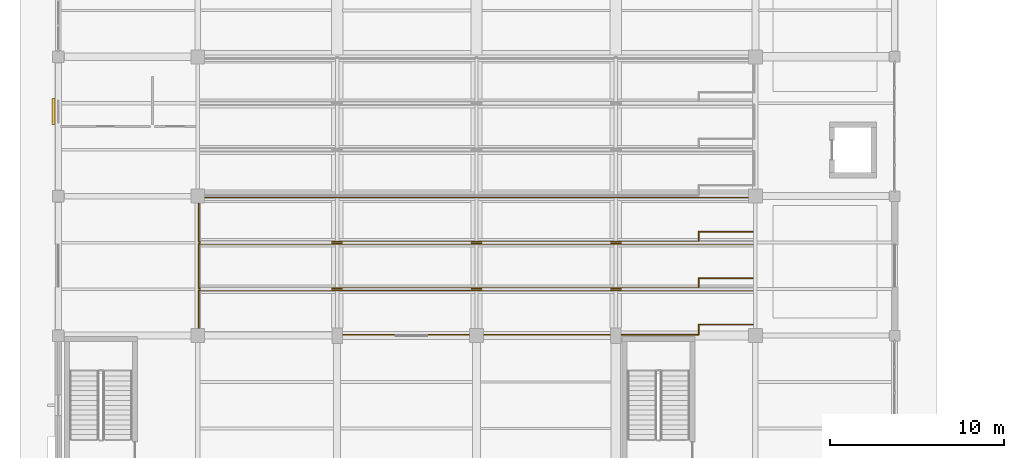
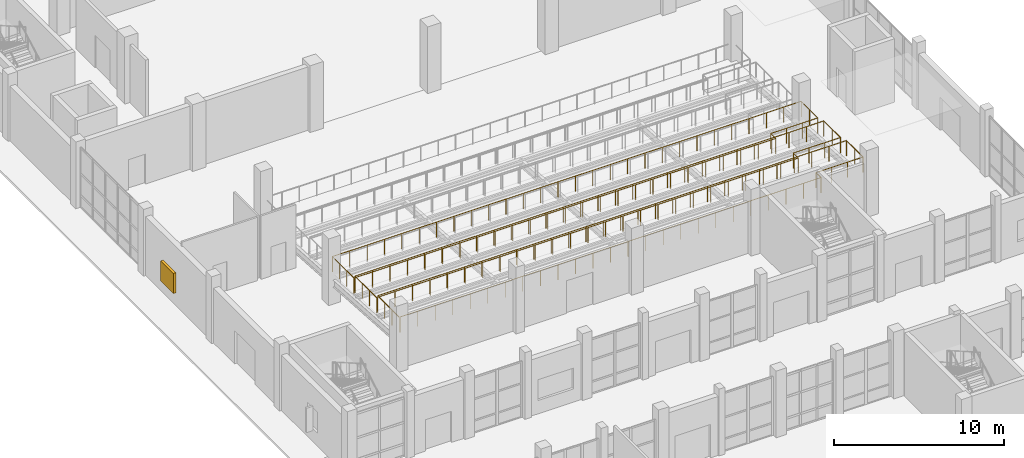
# One storey, part 139 of 156: 3 railings, 1 shading device.
"""IFC4 building model written with IfcOpenShell, lengths in metres."""

from ifc_helpers import new_model, si_unit, direction, frame, origin, origin_2d, place, context, subcontext, project, spatial, rectangle, circle, extrude, material, type_object, element, save


model = new_model("IFC4")

# Units and contexts
model_context = context("Model", 3, precision=1e-05, world=origin(), true_north=direction((0.0, 1.0)))
body_context = subcontext(model_context, "Body", "Model", "MODEL_VIEW")
ifc_project = project(units=[si_unit("LENGTHUNIT", "METRE"), si_unit("AREAUNIT", "SQUARE_METRE"), si_unit("VOLUMEUNIT", "CUBIC_METRE"), si_unit("PLANEANGLEUNIT", "RADIAN"), si_unit("MASSUNIT", "GRAM", prefix="KILO")], contexts=[model_context])

# Site, building, storey
site_placement = place(None, origin())
site = spatial("IfcSite", under=ifc_project, at=site_placement, CompositionType="ELEMENT")
building_placement = place(site_placement, origin())
building = spatial("IfcBuilding", under=site, at=building_placement, Name="Luwemba Playhouse", CompositionType="ELEMENT")
storey_placement = place(building_placement, origin())
storey = spatial("IfcBuildingStorey", under=building, at=storey_placement, Name="L00", CompositionType="ELEMENT", Elevation=0.0)

# Railings
ifc_material_1 = material(Name="Painted wrought-iron gallery balustrade", Category="steel")
railing_type = type_object("IfcRailingType", Name="RLG-BAL-INT", PredefinedType="BALUSTRADE", material=ifc_material_1)
railing_1_placement = place(storey_placement, frame((12.050048828125, 44.050048828125, 2.5)))
element("IfcRailing", 1, at=railing_1_placement, inside=storey, type_object=railing_type, Name="Stand Stalls Bay 1 perimeter balustrade", PredefinedType="BALUSTRADE", context=body_context, shape_type="SweptSolid", body=[
    extrude(circle(Radius=0.02392578125, at=origin_2d()), frame((0.0, 0.0, 1.09619140625), z_axis=(0.0, 1.0, 0.0), x_axis=(-1.0, 0.0, 0.0)), (0.0, 0.0, 1.0), 2.546630859375),
    extrude(circle(Radius=0.02392578125, at=origin_2d()), frame((0.0, 2.546630859375, 1.09619140625), z_axis=(1.0, 0.0, 0.0), x_axis=(0.0, 1.0, 0.0)), (0.0, 0.0, 1.0), 31.89990234375),
    extrude(circle(Radius=0.02392578125, at=origin_2d()), frame((31.89990234375, 2.546630859375, 1.09619140625), z_axis=(0.0, -1.0, 0.0), x_axis=(1.0, 0.0, 0.0)), (0.0, 0.0, 1.0), 1.96435546875),
    extrude(circle(Radius=0.02392578125, at=origin_2d()), frame((31.89990234375, 0.582275390625, 1.09619140625), z_axis=(-1.0, 0.0, 0.0), x_axis=(0.0, -1.0, 0.0)), (0.0, 0.0, 1.0), 3.199951171875),
    extrude(circle(Radius=0.02392578125, at=origin_2d()), frame((28.699951171875, 0.582275390625, 1.09619140625), z_axis=(0.0, -1.0, 0.0), x_axis=(1.0, 0.0, 0.0)), (0.0, 0.0, 1.0), 0.582275390625),
    extrude(circle(Radius=0.02392578125, at=origin_2d()), frame((28.699951171875, 0.0, 1.09619140625), z_axis=(-1.0, 0.0, 0.0), x_axis=(0.0, -1.0, 0.0)), (0.0, 0.0, 1.0), 28.639892578125),
    extrude(circle(Radius=0.02099609375, at=origin_2d()), origin(), (0.0, 0.0, 1.0), 1.072021484375),
    extrude(circle(Radius=0.02099609375, at=origin_2d()), frame((0.0, 0.848876953125, 0.0)), (0.0, 0.0, 1.0), 1.072021484375),
    extrude(circle(Radius=0.02099609375, at=origin_2d()), frame((0.0, 1.69775390625, 0.0)), (0.0, 0.0, 1.0), 1.072021484375),
    extrude(circle(Radius=0.02099609375, at=origin_2d()), frame((0.0, 2.546630859375, 0.0)), (0.0, 0.0, 1.0), 1.072021484375),
    extrude(circle(Radius=0.02099609375, at=origin_2d()), frame((1.181396484375, 2.546630859375, 0.0)), (0.0, 0.0, 1.0), 1.072021484375),
    extrude(circle(Radius=0.02099609375, at=origin_2d()), frame((2.363037109375, 2.546630859375, 0.0)), (0.0, 0.0, 1.0), 1.072021484375),
    extrude(circle(Radius=0.02099609375, at=origin_2d()), frame((3.54443359375, 2.546630859375, 0.0)), (0.0, 0.0, 1.0), 1.072021484375),
    extrude(circle(Radius=0.02099609375, at=origin_2d()), frame((4.725830078125, 2.546630859375, 0.0)), (0.0, 0.0, 1.0), 1.072021484375),
    extrude(circle(Radius=0.02099609375, at=origin_2d()), frame((5.907470703125, 2.546630859375, 0.0)), (0.0, 0.0, 1.0), 1.072021484375),
    extrude(circle(Radius=0.02099609375, at=origin_2d()), frame((7.0888671875, 2.546630859375, 0.0)), (0.0, 0.0, 1.0), 1.072021484375),
    extrude(circle(Radius=0.02099609375, at=origin_2d()), frame((8.270263671875, 2.546630859375, 0.0)), (0.0, 0.0, 1.0), 1.072021484375),
    extrude(circle(Radius=0.02099609375, at=origin_2d()), frame((9.451904296875, 2.546630859375, 0.0)), (0.0, 0.0, 1.0), 1.072021484375),
    extrude(circle(Radius=0.02099609375, at=origin_2d()), frame((10.63330078125, 2.546630859375, 0.0)), (0.0, 0.0, 1.0), 1.072021484375),
    extrude(circle(Radius=0.02099609375, at=origin_2d()), frame((11.814697265625, 2.546630859375, 0.0)), (0.0, 0.0, 1.0), 1.072021484375),
    extrude(circle(Radius=0.02099609375, at=origin_2d()), frame((12.996337890625, 2.546630859375, 0.0)), (0.0, 0.0, 1.0), 1.072021484375),
    extrude(circle(Radius=0.02099609375, at=origin_2d()), frame((14.177734375, 2.546630859375, 0.0)), (0.0, 0.0, 1.0), 1.072021484375),
    extrude(circle(Radius=0.02099609375, at=origin_2d()), frame((15.359130859375, 2.546630859375, 0.0)), (0.0, 0.0, 1.0), 1.072021484375),
    extrude(circle(Radius=0.02099609375, at=origin_2d()), frame((16.540771484375, 2.546630859375, 0.0)), (0.0, 0.0, 1.0), 1.072021484375),
    extrude(circle(Radius=0.02099609375, at=origin_2d()), frame((17.72216796875, 2.546630859375, 0.0)), (0.0, 0.0, 1.0), 1.072021484375),
    extrude(circle(Radius=0.02099609375, at=origin_2d()), frame((18.903564453125, 2.546630859375, 0.0)), (0.0, 0.0, 1.0), 1.072021484375),
    extrude(circle(Radius=0.02099609375, at=origin_2d()), frame((20.085205078125, 2.546630859375, 0.0)), (0.0, 0.0, 1.0), 1.072021484375),
    extrude(circle(Radius=0.02099609375, at=origin_2d()), frame((21.2666015625, 2.546630859375, 0.0)), (0.0, 0.0, 1.0), 1.072021484375),
    extrude(circle(Radius=0.02099609375, at=origin_2d()), frame((22.447998046875, 2.546630859375, 0.0)), (0.0, 0.0, 1.0), 1.072021484375),
    extrude(circle(Radius=0.02099609375, at=origin_2d()), frame((23.629638671875, 2.546630859375, 0.0)), (0.0, 0.0, 1.0), 1.072021484375),
    extrude(circle(Radius=0.02099609375, at=origin_2d()), frame((24.81103515625, 2.546630859375, 0.0)), (0.0, 0.0, 1.0), 1.072021484375),
    extrude(circle(Radius=0.02099609375, at=origin_2d()), frame((25.992431640625, 2.546630859375, 0.0)), (0.0, 0.0, 1.0), 1.072021484375),
    extrude(circle(Radius=0.02099609375, at=origin_2d()), frame((27.174072265625, 2.546630859375, 0.0)), (0.0, 0.0, 1.0), 1.072021484375),
    extrude(circle(Radius=0.02099609375, at=origin_2d()), frame((28.35546875, 2.546630859375, 0.0)), (0.0, 0.0, 1.0), 1.072021484375),
    extrude(circle(Radius=0.02099609375, at=origin_2d()), frame((29.536865234375, 2.546630859375, 0.0)), (0.0, 0.0, 1.0), 1.072021484375),
    extrude(circle(Radius=0.02099609375, at=origin_2d()), frame((30.718505859375, 2.546630859375, 0.0)), (0.0, 0.0, 1.0), 1.072021484375),
    extrude(circle(Radius=0.02099609375, at=origin_2d()), frame((31.89990234375, 2.546630859375, 0.0)), (0.0, 0.0, 1.0), 1.072021484375),
    extrude(circle(Radius=0.02099609375, at=origin_2d()), frame((31.89990234375, 1.564453125, 0.0)), (0.0, 0.0, 1.0), 1.072021484375),
    extrude(circle(Radius=0.02099609375, at=origin_2d()), frame((31.89990234375, 0.582275390625, 0.0)), (0.0, 0.0, 1.0), 1.072021484375),
    extrude(circle(Radius=0.02099609375, at=origin_2d()), frame((30.833251953125, 0.582275390625, 0.0)), (0.0, 0.0, 1.0), 1.072021484375),
    extrude(circle(Radius=0.02099609375, at=origin_2d()), frame((29.7666015625, 0.582275390625, 0.0)), (0.0, 0.0, 1.0), 1.072021484375),
    extrude(circle(Radius=0.02099609375, at=origin_2d()), frame((28.699951171875, 0.582275390625, 0.0)), (0.0, 0.0, 1.0), 1.072021484375),
    extrude(circle(Radius=0.02099609375, at=origin_2d()), frame((28.699951171875, 0.0, 0.0)), (0.0, 0.0, 1.0), 1.072021484375),
    extrude(circle(Radius=0.02099609375, at=origin_2d()), frame((27.506591796875, 0.0, 0.0)), (0.0, 0.0, 1.0), 1.072021484375),
    extrude(circle(Radius=0.02099609375, at=origin_2d()), frame((26.313232421875, 0.0, 0.0)), (0.0, 0.0, 1.0), 1.072021484375),
    extrude(circle(Radius=0.02099609375, at=origin_2d()), frame((25.119873046875, 0.0, 0.0)), (0.0, 0.0, 1.0), 1.072021484375),
    extrude(circle(Radius=0.02099609375, at=origin_2d()), frame((23.9267578125, 0.0, 0.0)), (0.0, 0.0, 1.0), 1.072021484375),
    extrude(circle(Radius=0.02099609375, at=origin_2d()), frame((22.7333984375, 0.0, 0.0)), (0.0, 0.0, 1.0), 1.072021484375),
    extrude(circle(Radius=0.02099609375, at=origin_2d()), frame((21.5400390625, 0.0, 0.0)), (0.0, 0.0, 1.0), 1.072021484375),
    extrude(circle(Radius=0.02099609375, at=origin_2d()), frame((20.3466796875, 0.0, 0.0)), (0.0, 0.0, 1.0), 1.072021484375),
    extrude(circle(Radius=0.02099609375, at=origin_2d()), frame((19.1533203125, 0.0, 0.0)), (0.0, 0.0, 1.0), 1.072021484375),
    extrude(circle(Radius=0.02099609375, at=origin_2d()), frame((17.9599609375, 0.0, 0.0)), (0.0, 0.0, 1.0), 1.072021484375),
    extrude(circle(Radius=0.02099609375, at=origin_2d()), frame((16.7666015625, 0.0, 0.0)), (0.0, 0.0, 1.0), 1.072021484375),
    extrude(circle(Radius=0.02099609375, at=origin_2d()), frame((15.5732421875, 0.0, 0.0)), (0.0, 0.0, 1.0), 1.072021484375),
    extrude(circle(Radius=0.02099609375, at=origin_2d()), frame((14.3798828125, 0.0, 0.0)), (0.0, 0.0, 1.0), 1.072021484375),
    extrude(circle(Radius=0.02099609375, at=origin_2d()), frame((13.186767578125, 0.0, 0.0)), (0.0, 0.0, 1.0), 1.072021484375),
    extrude(circle(Radius=0.02099609375, at=origin_2d()), frame((11.993408203125, 0.0, 0.0)), (0.0, 0.0, 1.0), 1.072021484375),
    extrude(circle(Radius=0.02099609375, at=origin_2d()), frame((10.800048828125, 0.0, 0.0)), (0.0, 0.0, 1.0), 1.072021484375),
    extrude(circle(Radius=0.02099609375, at=origin_2d()), frame((9.606689453125, 0.0, 0.0)), (0.0, 0.0, 1.0), 1.072021484375),
    extrude(circle(Radius=0.02099609375, at=origin_2d()), frame((8.413330078125, 0.0, 0.0)), (0.0, 0.0, 1.0), 1.072021484375),
    extrude(circle(Radius=0.02099609375, at=origin_2d()), frame((7.219970703125, 0.0, 0.0)), (0.0, 0.0, 1.0), 1.072021484375),
    extrude(circle(Radius=0.02099609375, at=origin_2d()), frame((6.026611328125, 0.0, 0.0)), (0.0, 0.0, 1.0), 1.072021484375),
    extrude(circle(Radius=0.02099609375, at=origin_2d()), frame((4.83349609375, 0.0, 0.0)), (0.0, 0.0, 1.0), 1.072021484375),
    extrude(circle(Radius=0.02099609375, at=origin_2d()), frame((3.64013671875, 0.0, 0.0)), (0.0, 0.0, 1.0), 1.072021484375),
    extrude(circle(Radius=0.02099609375, at=origin_2d()), frame((2.44677734375, 0.0, 0.0)), (0.0, 0.0, 1.0), 1.072021484375),
    extrude(circle(Radius=0.02099609375, at=origin_2d()), frame((1.25341796875, 0.0, 0.0)), (0.0, 0.0, 1.0), 1.072021484375),
    extrude(circle(Radius=0.02099609375, at=origin_2d()), frame((0.06005859375, 0.0, 0.0)), (0.0, 0.0, 1.0), 1.072021484375),
])
railing_2_placement = place(storey_placement, frame((12.050048828125, 46.716796875, 2.291748046875)))
element("IfcRailing", 2, at=railing_2_placement, inside=storey, type_object=railing_type, Name="Stand Stalls Bay 2 perimeter balustrade", PredefinedType="BALUSTRADE", context=body_context, shape_type="SweptSolid", body=[
    extrude(circle(Radius=0.02392578125, at=origin_2d()), frame((0.0, 0.0, 1.09619140625), z_axis=(0.0, 1.0, 0.0), x_axis=(-1.0, 0.0, 0.0)), (0.0, 0.0, 1.0), 2.546630859375),
    extrude(circle(Radius=0.02392578125, at=origin_2d()), frame((0.0, 2.546630859375, 1.09619140625), z_axis=(1.0, 0.0, 0.0), x_axis=(0.0, 1.0, 0.0)), (0.0, 0.0, 1.0), 31.89990234375),
    extrude(circle(Radius=0.02392578125, at=origin_2d()), frame((31.89990234375, 2.546630859375, 1.09619140625), z_axis=(0.0, -1.0, 0.0), x_axis=(1.0, 0.0, 0.0)), (0.0, 0.0, 1.0), 1.96435546875),
    extrude(circle(Radius=0.02392578125, at=origin_2d()), frame((31.89990234375, 0.582275390625, 1.09619140625), z_axis=(-1.0, 0.0, 0.0), x_axis=(0.0, -1.0, 0.0)), (0.0, 0.0, 1.0), 3.199951171875),
    extrude(circle(Radius=0.02392578125, at=origin_2d()), frame((28.699951171875, 0.582275390625, 1.09619140625), z_axis=(0.0, -1.0, 0.0), x_axis=(1.0, 0.0, 0.0)), (0.0, 0.0, 1.0), 0.582275390625),
    extrude(circle(Radius=0.02392578125, at=origin_2d()), frame((28.699951171875, 0.0, 1.09619140625), z_axis=(-1.0, 0.0, 0.0), x_axis=(0.0, -1.0, 0.0)), (0.0, 0.0, 1.0), 28.639892578125),
    extrude(circle(Radius=0.02099609375, at=origin_2d()), origin(), (0.0, 0.0, 1.0), 1.072021484375),
    extrude(circle(Radius=0.02099609375, at=origin_2d()), frame((0.0, 0.848876953125, 0.0)), (0.0, 0.0, 1.0), 1.072021484375),
    extrude(circle(Radius=0.02099609375, at=origin_2d()), frame((0.0, 1.69775390625, 0.0)), (0.0, 0.0, 1.0), 1.072021484375),
    extrude(circle(Radius=0.02099609375, at=origin_2d()), frame((0.0, 2.546630859375, 0.0)), (0.0, 0.0, 1.0), 1.072021484375),
    extrude(circle(Radius=0.02099609375, at=origin_2d()), frame((1.181396484375, 2.546630859375, 0.0)), (0.0, 0.0, 1.0), 1.072021484375),
    extrude(circle(Radius=0.02099609375, at=origin_2d()), frame((2.363037109375, 2.546630859375, 0.0)), (0.0, 0.0, 1.0), 1.072021484375),
    extrude(circle(Radius=0.02099609375, at=origin_2d()), frame((3.54443359375, 2.546630859375, 0.0)), (0.0, 0.0, 1.0), 1.072021484375),
    extrude(circle(Radius=0.02099609375, at=origin_2d()), frame((4.725830078125, 2.546630859375, 0.0)), (0.0, 0.0, 1.0), 1.072021484375),
    extrude(circle(Radius=0.02099609375, at=origin_2d()), frame((5.907470703125, 2.546630859375, 0.0)), (0.0, 0.0, 1.0), 1.072021484375),
    extrude(circle(Radius=0.02099609375, at=origin_2d()), frame((7.0888671875, 2.546630859375, 0.0)), (0.0, 0.0, 1.0), 1.072021484375),
    extrude(circle(Radius=0.02099609375, at=origin_2d()), frame((8.270263671875, 2.546630859375, 0.0)), (0.0, 0.0, 1.0), 1.072021484375),
    extrude(circle(Radius=0.02099609375, at=origin_2d()), frame((9.451904296875, 2.546630859375, 0.0)), (0.0, 0.0, 1.0), 1.072021484375),
    extrude(circle(Radius=0.02099609375, at=origin_2d()), frame((10.63330078125, 2.546630859375, 0.0)), (0.0, 0.0, 1.0), 1.072021484375),
    extrude(circle(Radius=0.02099609375, at=origin_2d()), frame((11.814697265625, 2.546630859375, 0.0)), (0.0, 0.0, 1.0), 1.072021484375),
    extrude(circle(Radius=0.02099609375, at=origin_2d()), frame((12.996337890625, 2.546630859375, 0.0)), (0.0, 0.0, 1.0), 1.072021484375),
    extrude(circle(Radius=0.02099609375, at=origin_2d()), frame((14.177734375, 2.546630859375, 0.0)), (0.0, 0.0, 1.0), 1.072021484375),
    extrude(circle(Radius=0.02099609375, at=origin_2d()), frame((15.359130859375, 2.546630859375, 0.0)), (0.0, 0.0, 1.0), 1.072021484375),
    extrude(circle(Radius=0.02099609375, at=origin_2d()), frame((16.540771484375, 2.546630859375, 0.0)), (0.0, 0.0, 1.0), 1.072021484375),
    extrude(circle(Radius=0.02099609375, at=origin_2d()), frame((17.72216796875, 2.546630859375, 0.0)), (0.0, 0.0, 1.0), 1.072021484375),
    extrude(circle(Radius=0.02099609375, at=origin_2d()), frame((18.903564453125, 2.546630859375, 0.0)), (0.0, 0.0, 1.0), 1.072021484375),
    extrude(circle(Radius=0.02099609375, at=origin_2d()), frame((20.085205078125, 2.546630859375, 0.0)), (0.0, 0.0, 1.0), 1.072021484375),
    extrude(circle(Radius=0.02099609375, at=origin_2d()), frame((21.2666015625, 2.546630859375, 0.0)), (0.0, 0.0, 1.0), 1.072021484375),
    extrude(circle(Radius=0.02099609375, at=origin_2d()), frame((22.447998046875, 2.546630859375, 0.0)), (0.0, 0.0, 1.0), 1.072021484375),
    extrude(circle(Radius=0.02099609375, at=origin_2d()), frame((23.629638671875, 2.546630859375, 0.0)), (0.0, 0.0, 1.0), 1.072021484375),
    extrude(circle(Radius=0.02099609375, at=origin_2d()), frame((24.81103515625, 2.546630859375, 0.0)), (0.0, 0.0, 1.0), 1.072021484375),
    extrude(circle(Radius=0.02099609375, at=origin_2d()), frame((25.992431640625, 2.546630859375, 0.0)), (0.0, 0.0, 1.0), 1.072021484375),
    extrude(circle(Radius=0.02099609375, at=origin_2d()), frame((27.174072265625, 2.546630859375, 0.0)), (0.0, 0.0, 1.0), 1.072021484375),
    extrude(circle(Radius=0.02099609375, at=origin_2d()), frame((28.35546875, 2.546630859375, 0.0)), (0.0, 0.0, 1.0), 1.072021484375),
    extrude(circle(Radius=0.02099609375, at=origin_2d()), frame((29.536865234375, 2.546630859375, 0.0)), (0.0, 0.0, 1.0), 1.072021484375),
    extrude(circle(Radius=0.02099609375, at=origin_2d()), frame((30.718505859375, 2.546630859375, 0.0)), (0.0, 0.0, 1.0), 1.072021484375),
    extrude(circle(Radius=0.02099609375, at=origin_2d()), frame((31.89990234375, 2.546630859375, 0.0)), (0.0, 0.0, 1.0), 1.072021484375),
    extrude(circle(Radius=0.02099609375, at=origin_2d()), frame((31.89990234375, 1.564453125, 0.0)), (0.0, 0.0, 1.0), 1.072021484375),
    extrude(circle(Radius=0.02099609375, at=origin_2d()), frame((31.89990234375, 0.582275390625, 0.0)), (0.0, 0.0, 1.0), 1.072021484375),
    extrude(circle(Radius=0.02099609375, at=origin_2d()), frame((30.833251953125, 0.582275390625, 0.0)), (0.0, 0.0, 1.0), 1.072021484375),
    extrude(circle(Radius=0.02099609375, at=origin_2d()), frame((29.7666015625, 0.582275390625, 0.0)), (0.0, 0.0, 1.0), 1.072021484375),
    extrude(circle(Radius=0.02099609375, at=origin_2d()), frame((28.699951171875, 0.582275390625, 0.0)), (0.0, 0.0, 1.0), 1.072021484375),
    extrude(circle(Radius=0.02099609375, at=origin_2d()), frame((28.699951171875, 0.0, 0.0)), (0.0, 0.0, 1.0), 1.072021484375),
    extrude(circle(Radius=0.02099609375, at=origin_2d()), frame((27.506591796875, 0.0, 0.0)), (0.0, 0.0, 1.0), 1.072021484375),
    extrude(circle(Radius=0.02099609375, at=origin_2d()), frame((26.313232421875, 0.0, 0.0)), (0.0, 0.0, 1.0), 1.072021484375),
    extrude(circle(Radius=0.02099609375, at=origin_2d()), frame((25.119873046875, 0.0, 0.0)), (0.0, 0.0, 1.0), 1.072021484375),
    extrude(circle(Radius=0.02099609375, at=origin_2d()), frame((23.9267578125, 0.0, 0.0)), (0.0, 0.0, 1.0), 1.072021484375),
    extrude(circle(Radius=0.02099609375, at=origin_2d()), frame((22.7333984375, 0.0, 0.0)), (0.0, 0.0, 1.0), 1.072021484375),
    extrude(circle(Radius=0.02099609375, at=origin_2d()), frame((21.5400390625, 0.0, 0.0)), (0.0, 0.0, 1.0), 1.072021484375),
    extrude(circle(Radius=0.02099609375, at=origin_2d()), frame((20.3466796875, 0.0, 0.0)), (0.0, 0.0, 1.0), 1.072021484375),
    extrude(circle(Radius=0.02099609375, at=origin_2d()), frame((19.1533203125, 0.0, 0.0)), (0.0, 0.0, 1.0), 1.072021484375),
    extrude(circle(Radius=0.02099609375, at=origin_2d()), frame((17.9599609375, 0.0, 0.0)), (0.0, 0.0, 1.0), 1.072021484375),
    extrude(circle(Radius=0.02099609375, at=origin_2d()), frame((16.7666015625, 0.0, 0.0)), (0.0, 0.0, 1.0), 1.072021484375),
    extrude(circle(Radius=0.02099609375, at=origin_2d()), frame((15.5732421875, 0.0, 0.0)), (0.0, 0.0, 1.0), 1.072021484375),
    extrude(circle(Radius=0.02099609375, at=origin_2d()), frame((14.3798828125, 0.0, 0.0)), (0.0, 0.0, 1.0), 1.072021484375),
    extrude(circle(Radius=0.02099609375, at=origin_2d()), frame((13.186767578125, 0.0, 0.0)), (0.0, 0.0, 1.0), 1.072021484375),
    extrude(circle(Radius=0.02099609375, at=origin_2d()), frame((11.993408203125, 0.0, 0.0)), (0.0, 0.0, 1.0), 1.072021484375),
    extrude(circle(Radius=0.02099609375, at=origin_2d()), frame((10.800048828125, 0.0, 0.0)), (0.0, 0.0, 1.0), 1.072021484375),
    extrude(circle(Radius=0.02099609375, at=origin_2d()), frame((9.606689453125, 0.0, 0.0)), (0.0, 0.0, 1.0), 1.072021484375),
    extrude(circle(Radius=0.02099609375, at=origin_2d()), frame((8.413330078125, 0.0, 0.0)), (0.0, 0.0, 1.0), 1.072021484375),
    extrude(circle(Radius=0.02099609375, at=origin_2d()), frame((7.219970703125, 0.0, 0.0)), (0.0, 0.0, 1.0), 1.072021484375),
    extrude(circle(Radius=0.02099609375, at=origin_2d()), frame((6.026611328125, 0.0, 0.0)), (0.0, 0.0, 1.0), 1.072021484375),
    extrude(circle(Radius=0.02099609375, at=origin_2d()), frame((4.83349609375, 0.0, 0.0)), (0.0, 0.0, 1.0), 1.072021484375),
    extrude(circle(Radius=0.02099609375, at=origin_2d()), frame((3.64013671875, 0.0, 0.0)), (0.0, 0.0, 1.0), 1.072021484375),
    extrude(circle(Radius=0.02099609375, at=origin_2d()), frame((2.44677734375, 0.0, 0.0)), (0.0, 0.0, 1.0), 1.072021484375),
    extrude(circle(Radius=0.02099609375, at=origin_2d()), frame((1.25341796875, 0.0, 0.0)), (0.0, 0.0, 1.0), 1.072021484375),
    extrude(circle(Radius=0.02099609375, at=origin_2d()), frame((0.06005859375, 0.0, 0.0)), (0.0, 0.0, 1.0), 1.072021484375),
])
railing_3_placement = place(storey_placement, frame((12.050048828125, 49.38330078125, 2.083251953125)))
element("IfcRailing", 3, at=railing_3_placement, inside=storey, type_object=railing_type, Name="Stand Stalls Bay 3 perimeter balustrade", PredefinedType="BALUSTRADE", context=body_context, shape_type="SweptSolid", body=[
    extrude(circle(Radius=0.02392578125, at=origin_2d()), frame((0.0, 0.0, 1.09619140625), z_axis=(0.0, 1.0, 0.0), x_axis=(-1.0, 0.0, 0.0)), (0.0, 0.0, 1.0), 2.546630859375),
    extrude(circle(Radius=0.02392578125, at=origin_2d()), frame((0.0, 2.546630859375, 1.09619140625), z_axis=(1.0, 0.0, 0.0), x_axis=(0.0, 1.0, 0.0)), (0.0, 0.0, 1.0), 31.89990234375),
    extrude(circle(Radius=0.02392578125, at=origin_2d()), frame((31.89990234375, 2.546630859375, 1.09619140625), z_axis=(0.0, -1.0, 0.0), x_axis=(1.0, 0.0, 0.0)), (0.0, 0.0, 1.0), 1.96435546875),
    extrude(circle(Radius=0.02392578125, at=origin_2d()), frame((31.89990234375, 0.582275390625, 1.09619140625), z_axis=(-1.0, 0.0, 0.0), x_axis=(0.0, -1.0, 0.0)), (0.0, 0.0, 1.0), 3.199951171875),
    extrude(circle(Radius=0.02392578125, at=origin_2d()), frame((28.699951171875, 0.582275390625, 1.09619140625), z_axis=(0.0, -1.0, 0.0), x_axis=(1.0, 0.0, 0.0)), (0.0, 0.0, 1.0), 0.582275390625),
    extrude(circle(Radius=0.02392578125, at=origin_2d()), frame((28.699951171875, 0.0, 1.09619140625), z_axis=(-1.0, 0.0, 0.0), x_axis=(0.0, -1.0, 0.0)), (0.0, 0.0, 1.0), 28.639892578125),
    extrude(circle(Radius=0.02099609375, at=origin_2d()), origin(), (0.0, 0.0, 1.0), 1.072021484375),
    extrude(circle(Radius=0.02099609375, at=origin_2d()), frame((0.0, 0.848876953125, 0.0)), (0.0, 0.0, 1.0), 1.072021484375),
    extrude(circle(Radius=0.02099609375, at=origin_2d()), frame((0.0, 1.69775390625, 0.0)), (0.0, 0.0, 1.0), 1.072021484375),
    extrude(circle(Radius=0.02099609375, at=origin_2d()), frame((0.0, 2.546630859375, 0.0)), (0.0, 0.0, 1.0), 1.072021484375),
    extrude(circle(Radius=0.02099609375, at=origin_2d()), frame((1.181396484375, 2.546630859375, 0.0)), (0.0, 0.0, 1.0), 1.072021484375),
    extrude(circle(Radius=0.02099609375, at=origin_2d()), frame((2.363037109375, 2.546630859375, 0.0)), (0.0, 0.0, 1.0), 1.072021484375),
    extrude(circle(Radius=0.02099609375, at=origin_2d()), frame((3.54443359375, 2.546630859375, 0.0)), (0.0, 0.0, 1.0), 1.072021484375),
    extrude(circle(Radius=0.02099609375, at=origin_2d()), frame((4.725830078125, 2.546630859375, 0.0)), (0.0, 0.0, 1.0), 1.072021484375),
    extrude(circle(Radius=0.02099609375, at=origin_2d()), frame((5.907470703125, 2.546630859375, 0.0)), (0.0, 0.0, 1.0), 1.072021484375),
    extrude(circle(Radius=0.02099609375, at=origin_2d()), frame((7.0888671875, 2.546630859375, 0.0)), (0.0, 0.0, 1.0), 1.072021484375),
    extrude(circle(Radius=0.02099609375, at=origin_2d()), frame((8.270263671875, 2.546630859375, 0.0)), (0.0, 0.0, 1.0), 1.072021484375),
    extrude(circle(Radius=0.02099609375, at=origin_2d()), frame((9.451904296875, 2.546630859375, 0.0)), (0.0, 0.0, 1.0), 1.072021484375),
    extrude(circle(Radius=0.02099609375, at=origin_2d()), frame((10.63330078125, 2.546630859375, 0.0)), (0.0, 0.0, 1.0), 1.072021484375),
    extrude(circle(Radius=0.02099609375, at=origin_2d()), frame((11.814697265625, 2.546630859375, 0.0)), (0.0, 0.0, 1.0), 1.072021484375),
    extrude(circle(Radius=0.02099609375, at=origin_2d()), frame((12.996337890625, 2.546630859375, 0.0)), (0.0, 0.0, 1.0), 1.072021484375),
    extrude(circle(Radius=0.02099609375, at=origin_2d()), frame((14.177734375, 2.546630859375, 0.0)), (0.0, 0.0, 1.0), 1.072021484375),
    extrude(circle(Radius=0.02099609375, at=origin_2d()), frame((15.359130859375, 2.546630859375, 0.0)), (0.0, 0.0, 1.0), 1.072021484375),
    extrude(circle(Radius=0.02099609375, at=origin_2d()), frame((16.540771484375, 2.546630859375, 0.0)), (0.0, 0.0, 1.0), 1.072021484375),
    extrude(circle(Radius=0.02099609375, at=origin_2d()), frame((17.72216796875, 2.546630859375, 0.0)), (0.0, 0.0, 1.0), 1.072021484375),
    extrude(circle(Radius=0.02099609375, at=origin_2d()), frame((18.903564453125, 2.546630859375, 0.0)), (0.0, 0.0, 1.0), 1.072021484375),
    extrude(circle(Radius=0.02099609375, at=origin_2d()), frame((20.085205078125, 2.546630859375, 0.0)), (0.0, 0.0, 1.0), 1.072021484375),
    extrude(circle(Radius=0.02099609375, at=origin_2d()), frame((21.2666015625, 2.546630859375, 0.0)), (0.0, 0.0, 1.0), 1.072021484375),
    extrude(circle(Radius=0.02099609375, at=origin_2d()), frame((22.447998046875, 2.546630859375, 0.0)), (0.0, 0.0, 1.0), 1.072021484375),
    extrude(circle(Radius=0.02099609375, at=origin_2d()), frame((23.629638671875, 2.546630859375, 0.0)), (0.0, 0.0, 1.0), 1.072021484375),
    extrude(circle(Radius=0.02099609375, at=origin_2d()), frame((24.81103515625, 2.546630859375, 0.0)), (0.0, 0.0, 1.0), 1.072021484375),
    extrude(circle(Radius=0.02099609375, at=origin_2d()), frame((25.992431640625, 2.546630859375, 0.0)), (0.0, 0.0, 1.0), 1.072021484375),
    extrude(circle(Radius=0.02099609375, at=origin_2d()), frame((27.174072265625, 2.546630859375, 0.0)), (0.0, 0.0, 1.0), 1.072021484375),
    extrude(circle(Radius=0.02099609375, at=origin_2d()), frame((28.35546875, 2.546630859375, 0.0)), (0.0, 0.0, 1.0), 1.072021484375),
    extrude(circle(Radius=0.02099609375, at=origin_2d()), frame((29.536865234375, 2.546630859375, 0.0)), (0.0, 0.0, 1.0), 1.072021484375),
    extrude(circle(Radius=0.02099609375, at=origin_2d()), frame((30.718505859375, 2.546630859375, 0.0)), (0.0, 0.0, 1.0), 1.072021484375),
    extrude(circle(Radius=0.02099609375, at=origin_2d()), frame((31.89990234375, 2.546630859375, 0.0)), (0.0, 0.0, 1.0), 1.072021484375),
    extrude(circle(Radius=0.02099609375, at=origin_2d()), frame((31.89990234375, 1.564453125, 0.0)), (0.0, 0.0, 1.0), 1.072021484375),
    extrude(circle(Radius=0.02099609375, at=origin_2d()), frame((31.89990234375, 0.582275390625, 0.0)), (0.0, 0.0, 1.0), 1.072021484375),
    extrude(circle(Radius=0.02099609375, at=origin_2d()), frame((30.833251953125, 0.582275390625, 0.0)), (0.0, 0.0, 1.0), 1.072021484375),
    extrude(circle(Radius=0.02099609375, at=origin_2d()), frame((29.7666015625, 0.582275390625, 0.0)), (0.0, 0.0, 1.0), 1.072021484375),
    extrude(circle(Radius=0.02099609375, at=origin_2d()), frame((28.699951171875, 0.582275390625, 0.0)), (0.0, 0.0, 1.0), 1.072021484375),
    extrude(circle(Radius=0.02099609375, at=origin_2d()), frame((28.699951171875, 0.0, 0.0)), (0.0, 0.0, 1.0), 1.072021484375),
    extrude(circle(Radius=0.02099609375, at=origin_2d()), frame((27.506591796875, 0.0, 0.0)), (0.0, 0.0, 1.0), 1.072021484375),
    extrude(circle(Radius=0.02099609375, at=origin_2d()), frame((26.313232421875, 0.0, 0.0)), (0.0, 0.0, 1.0), 1.072021484375),
    extrude(circle(Radius=0.02099609375, at=origin_2d()), frame((25.119873046875, 0.0, 0.0)), (0.0, 0.0, 1.0), 1.072021484375),
    extrude(circle(Radius=0.02099609375, at=origin_2d()), frame((23.9267578125, 0.0, 0.0)), (0.0, 0.0, 1.0), 1.072021484375),
    extrude(circle(Radius=0.02099609375, at=origin_2d()), frame((22.7333984375, 0.0, 0.0)), (0.0, 0.0, 1.0), 1.072021484375),
    extrude(circle(Radius=0.02099609375, at=origin_2d()), frame((21.5400390625, 0.0, 0.0)), (0.0, 0.0, 1.0), 1.072021484375),
    extrude(circle(Radius=0.02099609375, at=origin_2d()), frame((20.3466796875, 0.0, 0.0)), (0.0, 0.0, 1.0), 1.072021484375),
    extrude(circle(Radius=0.02099609375, at=origin_2d()), frame((19.1533203125, 0.0, 0.0)), (0.0, 0.0, 1.0), 1.072021484375),
    extrude(circle(Radius=0.02099609375, at=origin_2d()), frame((17.9599609375, 0.0, 0.0)), (0.0, 0.0, 1.0), 1.072021484375),
    extrude(circle(Radius=0.02099609375, at=origin_2d()), frame((16.7666015625, 0.0, 0.0)), (0.0, 0.0, 1.0), 1.072021484375),
    extrude(circle(Radius=0.02099609375, at=origin_2d()), frame((15.5732421875, 0.0, 0.0)), (0.0, 0.0, 1.0), 1.072021484375),
    extrude(circle(Radius=0.02099609375, at=origin_2d()), frame((14.3798828125, 0.0, 0.0)), (0.0, 0.0, 1.0), 1.072021484375),
    extrude(circle(Radius=0.02099609375, at=origin_2d()), frame((13.186767578125, 0.0, 0.0)), (0.0, 0.0, 1.0), 1.072021484375),
    extrude(circle(Radius=0.02099609375, at=origin_2d()), frame((11.993408203125, 0.0, 0.0)), (0.0, 0.0, 1.0), 1.072021484375),
    extrude(circle(Radius=0.02099609375, at=origin_2d()), frame((10.800048828125, 0.0, 0.0)), (0.0, 0.0, 1.0), 1.072021484375),
    extrude(circle(Radius=0.02099609375, at=origin_2d()), frame((9.606689453125, 0.0, 0.0)), (0.0, 0.0, 1.0), 1.072021484375),
    extrude(circle(Radius=0.02099609375, at=origin_2d()), frame((8.413330078125, 0.0, 0.0)), (0.0, 0.0, 1.0), 1.072021484375),
    extrude(circle(Radius=0.02099609375, at=origin_2d()), frame((7.219970703125, 0.0, 0.0)), (0.0, 0.0, 1.0), 1.072021484375),
    extrude(circle(Radius=0.02099609375, at=origin_2d()), frame((6.026611328125, 0.0, 0.0)), (0.0, 0.0, 1.0), 1.072021484375),
    extrude(circle(Radius=0.02099609375, at=origin_2d()), frame((4.83349609375, 0.0, 0.0)), (0.0, 0.0, 1.0), 1.072021484375),
    extrude(circle(Radius=0.02099609375, at=origin_2d()), frame((3.64013671875, 0.0, 0.0)), (0.0, 0.0, 1.0), 1.072021484375),
    extrude(circle(Radius=0.02099609375, at=origin_2d()), frame((2.44677734375, 0.0, 0.0)), (0.0, 0.0, 1.0), 1.072021484375),
    extrude(circle(Radius=0.02099609375, at=origin_2d()), frame((1.25341796875, 0.0, 0.0)), (0.0, 0.0, 1.0), 1.072021484375),
    extrude(circle(Radius=0.02099609375, at=origin_2d()), frame((0.06005859375, 0.0, 0.0)), (0.0, 0.0, 1.0), 1.072021484375),
])

# Shading device
ifc_material_2 = material(Name="Kiln-fired terracotta gelosia louvre screen", Category="masonry")
shading_device_type = type_object("IfcShadingDeviceType", Name="SHD-GELOSIA", PredefinedType="JALOUSIE", material=ifc_material_2)
shading_device_placement = place(storey_placement, frame((3.72509765625, 56.860107421875, 0.9248046875), z_axis=(0.0, 0.0, 1.0), x_axis=(0.0, 1.0, 0.0)))
element("IfcShadingDevice", 4, at=shading_device_placement, inside=storey, type_object=shading_device_type, Name="L00 fired-clay gelosia screen 002", PredefinedType="JALOUSIE", context=body_context, shape_type="SweptSolid", body=[
    extrude(rectangle(XDim=1.5, YDim=0.179931640625, at=origin_2d()), origin(), (0.0, 0.0, 1.0), 1.449951171875),
])

save(model, "model.ifc")
